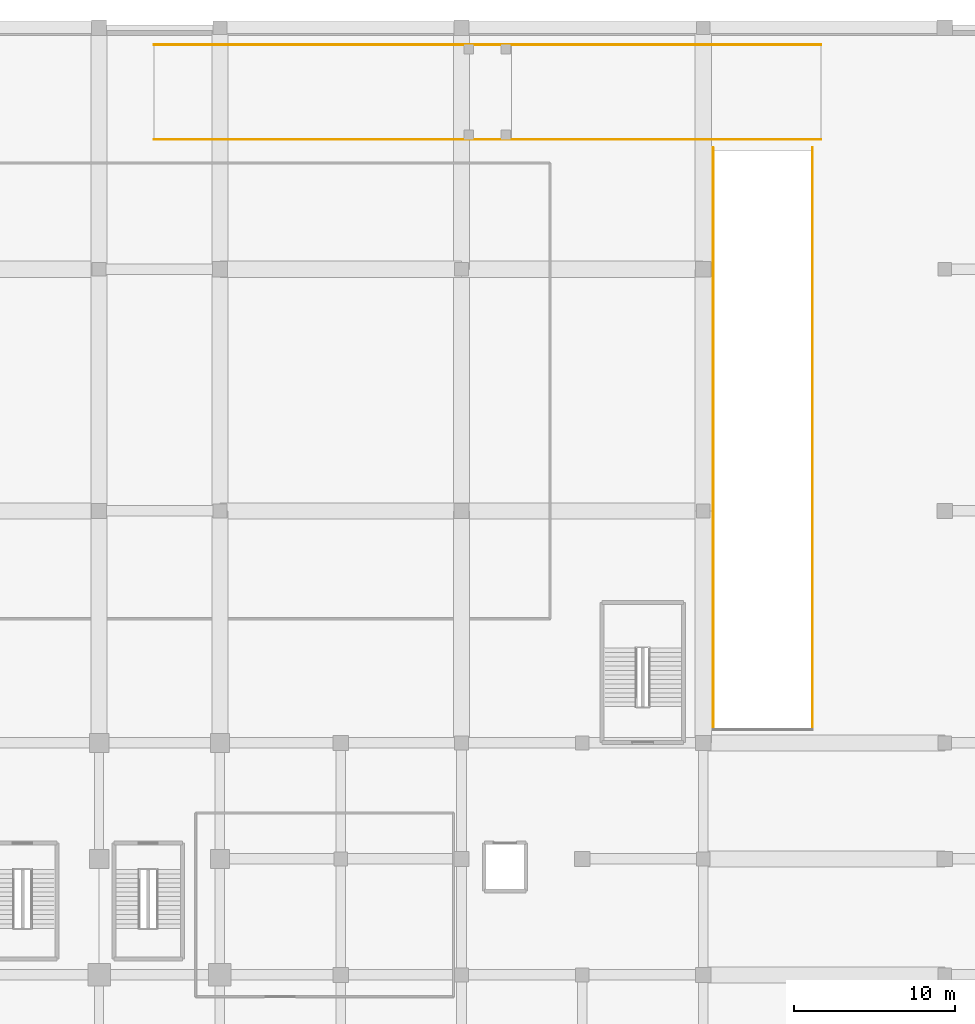
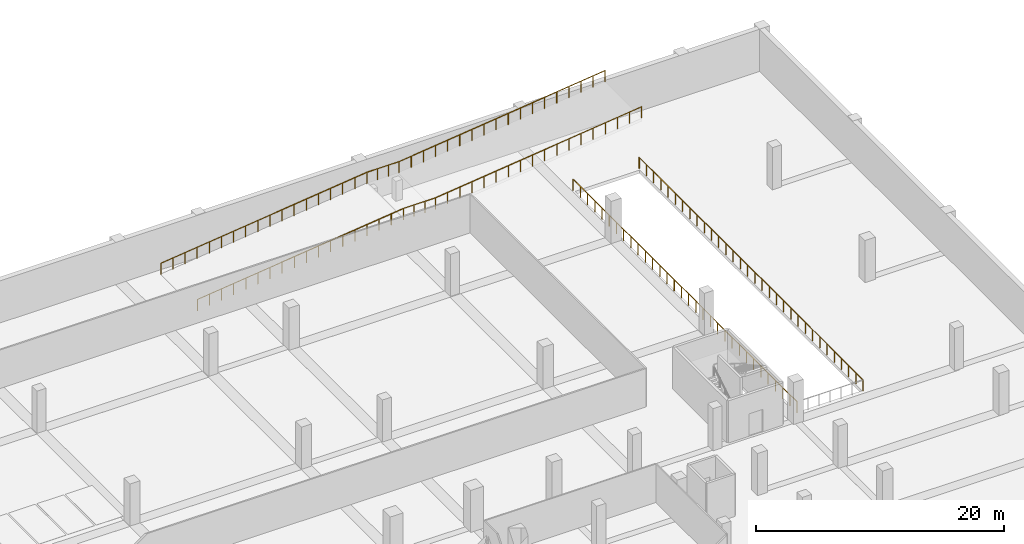
# One storey, part 25 of 25: 4 railings.
"""IFC4 building model written with IfcOpenShell, lengths in metres."""

from ifc_helpers import new_model, si_unit, direction, frame, origin, origin_2d, place, context, subcontext, project, spatial, circle, extrude, material, layer, layer_set, type_object, element, save


model = new_model("IFC4")

# Units and contexts
model_context = context("Model", 3, precision=1e-05, world=origin(), true_north=direction((0.0, 1.0)))
body_context = subcontext(model_context, "Body", "Model", "MODEL_VIEW")
ifc_project = project(units=[si_unit("LENGTHUNIT", "METRE"), si_unit("AREAUNIT", "SQUARE_METRE"), si_unit("VOLUMEUNIT", "CUBIC_METRE"), si_unit("PLANEANGLEUNIT", "RADIAN"), si_unit("MASSUNIT", "GRAM", prefix="KILO")], contexts=[model_context])

# Site, building, storey
site_placement = place(None, origin())
site = spatial("IfcSite", under=ifc_project, at=site_placement, CompositionType="ELEMENT")
building_placement = place(site_placement, origin())
building = spatial("IfcBuilding", under=site, at=building_placement, Name="Akrevak Sports Hall", CompositionType="ELEMENT")
storey_placement = place(building_placement, frame((0.0, 0.0, -4.5)))
storey = spatial("IfcBuildingStorey", under=building, at=storey_placement, Name="B01", CompositionType="ELEMENT", Elevation=-4.5)

# Railings
ifc_material = material(Name="Painted Architectural Balustrade Steel", Category="steel")
ifc_layer = layer(ifc_material, 0.06005859375, Name="Painted Architectural Balustrade Steel")
ifc_layer_set = layer_set([ifc_layer], Name="Painted Architectural Balustrade Steel")
railing_type = type_object("IfcRailingType", Name="ARC-RL-GRD-1120", PredefinedType="GUARDRAIL", material=ifc_layer_set)
railing_1_placement = place(storey_placement, frame((146.1201171875, 70.419921875, 0.0)))
element("IfcRailing", 1, at=railing_1_placement, inside=storey, type_object=railing_type, Name="B01 Vehicle Ramp Well Guardrail W", PredefinedType="GUARDRAIL", context=body_context, shape_type="SweptSolid", body=[
    extrude(circle(Radius=0.02392578125, at=origin_2d()), frame((0.0, 0.0, 1.09619140625), z_axis=(0.0, 1.0, 0.0), x_axis=(-1.0, 0.0, 0.0)), (0.0, 0.0, 1.0), 36.130126953125),
    extrude(circle(Radius=0.02099609375, at=origin_2d()), origin(), (0.0, 0.0, 1.0), 1.072021484375),
    extrude(circle(Radius=0.02099609375, at=origin_2d()), frame((0.0, 1.16552734375, 0.0)), (0.0, 0.0, 1.0), 1.072021484375),
    extrude(circle(Radius=0.02099609375, at=origin_2d()), frame((0.0, 2.3310546875, 0.0)), (0.0, 0.0, 1.0), 1.072021484375),
    extrude(circle(Radius=0.02099609375, at=origin_2d()), frame((0.0, 3.49658203125, 0.0)), (0.0, 0.0, 1.0), 1.072021484375),
    extrude(circle(Radius=0.02099609375, at=origin_2d()), frame((0.0, 4.661865234375, 0.0)), (0.0, 0.0, 1.0), 1.072021484375),
    extrude(circle(Radius=0.02099609375, at=origin_2d()), frame((0.0, 5.827392578125, 0.0)), (0.0, 0.0, 1.0), 1.072021484375),
    extrude(circle(Radius=0.02099609375, at=origin_2d()), frame((0.0, 6.992919921875, 0.0)), (0.0, 0.0, 1.0), 1.072021484375),
    extrude(circle(Radius=0.02099609375, at=origin_2d()), frame((0.0, 8.158447265625, 0.0)), (0.0, 0.0, 1.0), 1.072021484375),
    extrude(circle(Radius=0.02099609375, at=origin_2d()), frame((0.0, 9.323974609375, 0.0)), (0.0, 0.0, 1.0), 1.072021484375),
    extrude(circle(Radius=0.02099609375, at=origin_2d()), frame((0.0, 10.489501953125, 0.0)), (0.0, 0.0, 1.0), 1.072021484375),
    extrude(circle(Radius=0.02099609375, at=origin_2d()), frame((0.0, 11.65478515625, 0.0)), (0.0, 0.0, 1.0), 1.072021484375),
    extrude(circle(Radius=0.02099609375, at=origin_2d()), frame((0.0, 12.8203125, 0.0)), (0.0, 0.0, 1.0), 1.072021484375),
    extrude(circle(Radius=0.02099609375, at=origin_2d()), frame((0.0, 13.98583984375, 0.0)), (0.0, 0.0, 1.0), 1.072021484375),
    extrude(circle(Radius=0.02099609375, at=origin_2d()), frame((0.0, 15.1513671875, 0.0)), (0.0, 0.0, 1.0), 1.072021484375),
    extrude(circle(Radius=0.02099609375, at=origin_2d()), frame((0.0, 16.31689453125, 0.0)), (0.0, 0.0, 1.0), 1.072021484375),
    extrude(circle(Radius=0.02099609375, at=origin_2d()), frame((0.0, 17.482421875, 0.0)), (0.0, 0.0, 1.0), 1.072021484375),
    extrude(circle(Radius=0.02099609375, at=origin_2d()), frame((0.0, 18.647705078125, 0.0)), (0.0, 0.0, 1.0), 1.072021484375),
    extrude(circle(Radius=0.02099609375, at=origin_2d()), frame((0.0, 19.813232421875, 0.0)), (0.0, 0.0, 1.0), 1.072021484375),
    extrude(circle(Radius=0.02099609375, at=origin_2d()), frame((0.0, 20.978759765625, 0.0)), (0.0, 0.0, 1.0), 1.072021484375),
    extrude(circle(Radius=0.02099609375, at=origin_2d()), frame((0.0, 22.144287109375, 0.0)), (0.0, 0.0, 1.0), 1.072021484375),
    extrude(circle(Radius=0.02099609375, at=origin_2d()), frame((0.0, 23.309814453125, 0.0)), (0.0, 0.0, 1.0), 1.072021484375),
    extrude(circle(Radius=0.02099609375, at=origin_2d()), frame((0.0, 24.475341796875, 0.0)), (0.0, 0.0, 1.0), 1.072021484375),
    extrude(circle(Radius=0.02099609375, at=origin_2d()), frame((0.0, 25.640625, 0.0)), (0.0, 0.0, 1.0), 1.072021484375),
    extrude(circle(Radius=0.02099609375, at=origin_2d()), frame((0.0, 26.80615234375, 0.0)), (0.0, 0.0, 1.0), 1.072021484375),
    extrude(circle(Radius=0.02099609375, at=origin_2d()), frame((0.0, 27.9716796875, 0.0)), (0.0, 0.0, 1.0), 1.072021484375),
    extrude(circle(Radius=0.02099609375, at=origin_2d()), frame((0.0, 29.13720703125, 0.0)), (0.0, 0.0, 1.0), 1.072021484375),
    extrude(circle(Radius=0.02099609375, at=origin_2d()), frame((0.0, 30.302734375, 0.0)), (0.0, 0.0, 1.0), 1.072021484375),
    extrude(circle(Radius=0.02099609375, at=origin_2d()), frame((0.0, 31.46826171875, 0.0)), (0.0, 0.0, 1.0), 1.072021484375),
    extrude(circle(Radius=0.02099609375, at=origin_2d()), frame((0.0, 32.633544921875, 0.0)), (0.0, 0.0, 1.0), 1.072021484375),
    extrude(circle(Radius=0.02099609375, at=origin_2d()), frame((0.0, 33.799072265625, 0.0)), (0.0, 0.0, 1.0), 1.072021484375),
    extrude(circle(Radius=0.02099609375, at=origin_2d()), frame((0.0, 34.964599609375, 0.0)), (0.0, 0.0, 1.0), 1.072021484375),
    extrude(circle(Radius=0.02099609375, at=origin_2d()), frame((0.0, 36.130126953125, 0.0)), (0.0, 0.0, 1.0), 1.072021484375),
])
railing_2_placement = place(storey_placement, frame((152.280029296875, 70.419921875, 0.0)))
element("IfcRailing", 2, at=railing_2_placement, inside=storey, type_object=railing_type, Name="B01 Vehicle Ramp Well Guardrail E", PredefinedType="GUARDRAIL", context=body_context, shape_type="SweptSolid", body=[
    extrude(circle(Radius=0.02392578125, at=origin_2d()), frame((0.0, 0.0, 1.09619140625), z_axis=(0.0, 1.0, 0.0), x_axis=(-1.0, 0.0, 0.0)), (0.0, 0.0, 1.0), 36.130126953125),
    extrude(circle(Radius=0.02099609375, at=origin_2d()), origin(), (0.0, 0.0, 1.0), 1.072021484375),
    extrude(circle(Radius=0.02099609375, at=origin_2d()), frame((0.0, 1.16552734375, 0.0)), (0.0, 0.0, 1.0), 1.072021484375),
    extrude(circle(Radius=0.02099609375, at=origin_2d()), frame((0.0, 2.3310546875, 0.0)), (0.0, 0.0, 1.0), 1.072021484375),
    extrude(circle(Radius=0.02099609375, at=origin_2d()), frame((0.0, 3.49658203125, 0.0)), (0.0, 0.0, 1.0), 1.072021484375),
    extrude(circle(Radius=0.02099609375, at=origin_2d()), frame((0.0, 4.661865234375, 0.0)), (0.0, 0.0, 1.0), 1.072021484375),
    extrude(circle(Radius=0.02099609375, at=origin_2d()), frame((0.0, 5.827392578125, 0.0)), (0.0, 0.0, 1.0), 1.072021484375),
    extrude(circle(Radius=0.02099609375, at=origin_2d()), frame((0.0, 6.992919921875, 0.0)), (0.0, 0.0, 1.0), 1.072021484375),
    extrude(circle(Radius=0.02099609375, at=origin_2d()), frame((0.0, 8.158447265625, 0.0)), (0.0, 0.0, 1.0), 1.072021484375),
    extrude(circle(Radius=0.02099609375, at=origin_2d()), frame((0.0, 9.323974609375, 0.0)), (0.0, 0.0, 1.0), 1.072021484375),
    extrude(circle(Radius=0.02099609375, at=origin_2d()), frame((0.0, 10.489501953125, 0.0)), (0.0, 0.0, 1.0), 1.072021484375),
    extrude(circle(Radius=0.02099609375, at=origin_2d()), frame((0.0, 11.65478515625, 0.0)), (0.0, 0.0, 1.0), 1.072021484375),
    extrude(circle(Radius=0.02099609375, at=origin_2d()), frame((0.0, 12.8203125, 0.0)), (0.0, 0.0, 1.0), 1.072021484375),
    extrude(circle(Radius=0.02099609375, at=origin_2d()), frame((0.0, 13.98583984375, 0.0)), (0.0, 0.0, 1.0), 1.072021484375),
    extrude(circle(Radius=0.02099609375, at=origin_2d()), frame((0.0, 15.1513671875, 0.0)), (0.0, 0.0, 1.0), 1.072021484375),
    extrude(circle(Radius=0.02099609375, at=origin_2d()), frame((0.0, 16.31689453125, 0.0)), (0.0, 0.0, 1.0), 1.072021484375),
    extrude(circle(Radius=0.02099609375, at=origin_2d()), frame((0.0, 17.482421875, 0.0)), (0.0, 0.0, 1.0), 1.072021484375),
    extrude(circle(Radius=0.02099609375, at=origin_2d()), frame((0.0, 18.647705078125, 0.0)), (0.0, 0.0, 1.0), 1.072021484375),
    extrude(circle(Radius=0.02099609375, at=origin_2d()), frame((0.0, 19.813232421875, 0.0)), (0.0, 0.0, 1.0), 1.072021484375),
    extrude(circle(Radius=0.02099609375, at=origin_2d()), frame((0.0, 20.978759765625, 0.0)), (0.0, 0.0, 1.0), 1.072021484375),
    extrude(circle(Radius=0.02099609375, at=origin_2d()), frame((0.0, 22.144287109375, 0.0)), (0.0, 0.0, 1.0), 1.072021484375),
    extrude(circle(Radius=0.02099609375, at=origin_2d()), frame((0.0, 23.309814453125, 0.0)), (0.0, 0.0, 1.0), 1.072021484375),
    extrude(circle(Radius=0.02099609375, at=origin_2d()), frame((0.0, 24.475341796875, 0.0)), (0.0, 0.0, 1.0), 1.072021484375),
    extrude(circle(Radius=0.02099609375, at=origin_2d()), frame((0.0, 25.640625, 0.0)), (0.0, 0.0, 1.0), 1.072021484375),
    extrude(circle(Radius=0.02099609375, at=origin_2d()), frame((0.0, 26.80615234375, 0.0)), (0.0, 0.0, 1.0), 1.072021484375),
    extrude(circle(Radius=0.02099609375, at=origin_2d()), frame((0.0, 27.9716796875, 0.0)), (0.0, 0.0, 1.0), 1.072021484375),
    extrude(circle(Radius=0.02099609375, at=origin_2d()), frame((0.0, 29.13720703125, 0.0)), (0.0, 0.0, 1.0), 1.072021484375),
    extrude(circle(Radius=0.02099609375, at=origin_2d()), frame((0.0, 30.302734375, 0.0)), (0.0, 0.0, 1.0), 1.072021484375),
    extrude(circle(Radius=0.02099609375, at=origin_2d()), frame((0.0, 31.46826171875, 0.0)), (0.0, 0.0, 1.0), 1.072021484375),
    extrude(circle(Radius=0.02099609375, at=origin_2d()), frame((0.0, 32.633544921875, 0.0)), (0.0, 0.0, 1.0), 1.072021484375),
    extrude(circle(Radius=0.02099609375, at=origin_2d()), frame((0.0, 33.799072265625, 0.0)), (0.0, 0.0, 1.0), 1.072021484375),
    extrude(circle(Radius=0.02099609375, at=origin_2d()), frame((0.0, 34.964599609375, 0.0)), (0.0, 0.0, 1.0), 1.072021484375),
    extrude(circle(Radius=0.02099609375, at=origin_2d()), frame((0.0, 36.130126953125, 0.0)), (0.0, 0.0, 1.0), 1.072021484375),
])
railing_3_placement = place(storey_placement, frame((111.39990234375, 107.06005859375, 0.0)))
element("IfcRailing", 3, at=railing_3_placement, inside=storey, type_object=railing_type, Name="Ramp R2 Side Guardrail S", PredefinedType="GUARDRAIL", context=body_context, shape_type="SweptSolid", body=[
    extrude(circle(Radius=0.02392578125, at=origin_2d()), frame((0.0, 0.0, 1.09619140625), z_axis=(0.993203604351, 0.0, 0.116389863406), x_axis=(0.0, 1.0, 0.0)), (0.0, 0.0, 1.0), 19.33154296875),
    extrude(circle(Radius=0.02392578125, at=origin_2d()), frame((19.2001953125, 0.0, 3.34619140625), z_axis=(1.0, 0.0, 0.0), x_axis=(0.0, 1.0, 0.0)), (0.0, 0.0, 1.0), 3.0),
    extrude(circle(Radius=0.02392578125, at=origin_2d()), frame((22.2001953125, 0.0, 3.34619140625), z_axis=(0.993203433267, 0.0, 0.116391323334), x_axis=(0.0, 1.0, 0.0)), (0.0, 0.0, 1.0), 19.331298828125),
    extrude(circle(Radius=0.02099609375, at=origin_2d()), origin(), (0.0, 0.0, 1.0), 1.072021484375),
    extrude(circle(Radius=0.02099609375, at=origin_2d()), frame((1.12939453125, 0.0, 0.13232421875)), (0.0, 0.0, 1.0), 1.072021484375),
    extrude(circle(Radius=0.02099609375, at=origin_2d()), frame((2.2587890625, 0.0, 0.2646484375)), (0.0, 0.0, 1.0), 1.072021484375),
    extrude(circle(Radius=0.02099609375, at=origin_2d()), frame((3.38818359375, 0.0, 0.39697265625)), (0.0, 0.0, 1.0), 1.072021484375),
    extrude(circle(Radius=0.02099609375, at=origin_2d()), frame((4.517578125, 0.0, 0.529296875)), (0.0, 0.0, 1.0), 1.072021484375),
    extrude(circle(Radius=0.02099609375, at=origin_2d()), frame((5.647216796875, 0.0, 0.661865234375)), (0.0, 0.0, 1.0), 1.072021484375),
    extrude(circle(Radius=0.02099609375, at=origin_2d()), frame((6.776611328125, 0.0, 0.794189453125)), (0.0, 0.0, 1.0), 1.072021484375),
    extrude(circle(Radius=0.02099609375, at=origin_2d()), frame((7.906005859375, 0.0, 0.926513671875)), (0.0, 0.0, 1.0), 1.072021484375),
    extrude(circle(Radius=0.02099609375, at=origin_2d()), frame((9.035400390625, 0.0, 1.058837890625)), (0.0, 0.0, 1.0), 1.072021484375),
    extrude(circle(Radius=0.02099609375, at=origin_2d()), frame((10.164794921875, 0.0, 1.191162109375)), (0.0, 0.0, 1.0), 1.072021484375),
    extrude(circle(Radius=0.02099609375, at=origin_2d()), frame((11.294189453125, 0.0, 1.323486328125)), (0.0, 0.0, 1.0), 1.072021484375),
    extrude(circle(Radius=0.02099609375, at=origin_2d()), frame((12.423583984375, 0.0, 1.455810546875)), (0.0, 0.0, 1.0), 1.072021484375),
    extrude(circle(Radius=0.02099609375, at=origin_2d()), frame((13.552978515625, 0.0, 1.588134765625)), (0.0, 0.0, 1.0), 1.072021484375),
    extrude(circle(Radius=0.02099609375, at=origin_2d()), frame((14.6826171875, 0.0, 1.720703125)), (0.0, 0.0, 1.0), 1.072021484375),
    extrude(circle(Radius=0.02099609375, at=origin_2d()), frame((15.81201171875, 0.0, 1.85302734375)), (0.0, 0.0, 1.0), 1.072021484375),
    extrude(circle(Radius=0.02099609375, at=origin_2d()), frame((16.94140625, 0.0, 1.9853515625)), (0.0, 0.0, 1.0), 1.072021484375),
    extrude(circle(Radius=0.02099609375, at=origin_2d()), frame((18.07080078125, 0.0, 2.11767578125)), (0.0, 0.0, 1.0), 1.072021484375),
    extrude(circle(Radius=0.02099609375, at=origin_2d()), frame((19.2001953125, 0.0, 2.25)), (0.0, 0.0, 1.0), 1.072021484375),
    extrude(circle(Radius=0.02099609375, at=origin_2d()), frame((20.2001953125, 0.0, 2.25)), (0.0, 0.0, 1.0), 1.072021484375),
    extrude(circle(Radius=0.02099609375, at=origin_2d()), frame((21.2001953125, 0.0, 2.25)), (0.0, 0.0, 1.0), 1.072021484375),
    extrude(circle(Radius=0.02099609375, at=origin_2d()), frame((22.2001953125, 0.0, 2.25)), (0.0, 0.0, 1.0), 1.072021484375),
    extrude(circle(Radius=0.02099609375, at=origin_2d()), frame((23.32958984375, 0.0, 2.38232421875)), (0.0, 0.0, 1.0), 1.072021484375),
    extrude(circle(Radius=0.02099609375, at=origin_2d()), frame((24.458984375, 0.0, 2.5146484375)), (0.0, 0.0, 1.0), 1.072021484375),
    extrude(circle(Radius=0.02099609375, at=origin_2d()), frame((25.58837890625, 0.0, 2.64697265625)), (0.0, 0.0, 1.0), 1.072021484375),
    extrude(circle(Radius=0.02099609375, at=origin_2d()), frame((26.7177734375, 0.0, 2.779296875)), (0.0, 0.0, 1.0), 1.072021484375),
    extrude(circle(Radius=0.02099609375, at=origin_2d()), frame((27.84716796875, 0.0, 2.911865234375)), (0.0, 0.0, 1.0), 1.072021484375),
    extrude(circle(Radius=0.02099609375, at=origin_2d()), frame((28.9765625, 0.0, 3.044189453125)), (0.0, 0.0, 1.0), 1.072021484375),
    extrude(circle(Radius=0.02099609375, at=origin_2d()), frame((30.10595703125, 0.0, 3.176513671875)), (0.0, 0.0, 1.0), 1.072021484375),
    extrude(circle(Radius=0.02099609375, at=origin_2d()), frame((31.2353515625, 0.0, 3.308837890625)), (0.0, 0.0, 1.0), 1.072021484375),
    extrude(circle(Radius=0.02099609375, at=origin_2d()), frame((32.364990234375, 0.0, 3.441162109375)), (0.0, 0.0, 1.0), 1.072021484375),
    extrude(circle(Radius=0.02099609375, at=origin_2d()), frame((33.494384765625, 0.0, 3.573486328125)), (0.0, 0.0, 1.0), 1.072021484375),
    extrude(circle(Radius=0.02099609375, at=origin_2d()), frame((34.623779296875, 0.0, 3.705810546875)), (0.0, 0.0, 1.0), 1.072021484375),
    extrude(circle(Radius=0.02099609375, at=origin_2d()), frame((35.753173828125, 0.0, 3.838134765625)), (0.0, 0.0, 1.0), 1.072021484375),
    extrude(circle(Radius=0.02099609375, at=origin_2d()), frame((36.882568359375, 0.0, 3.970703125)), (0.0, 0.0, 1.0), 1.072021484375),
    extrude(circle(Radius=0.02099609375, at=origin_2d()), frame((38.011962890625, 0.0, 4.10302734375)), (0.0, 0.0, 1.0), 1.072021484375),
    extrude(circle(Radius=0.02099609375, at=origin_2d()), frame((39.141357421875, 0.0, 4.2353515625)), (0.0, 0.0, 1.0), 1.072021484375),
    extrude(circle(Radius=0.02099609375, at=origin_2d()), frame((40.270751953125, 0.0, 4.36767578125)), (0.0, 0.0, 1.0), 1.072021484375),
    extrude(circle(Radius=0.02099609375, at=origin_2d()), frame((41.400146484375, 0.0, 4.5)), (0.0, 0.0, 1.0), 1.072021484375),
])
railing_4_placement = place(storey_placement, frame((111.39990234375, 112.93994140625, 0.0)))
element("IfcRailing", 4, at=railing_4_placement, inside=storey, type_object=railing_type, Name="Ramp R2 Side Guardrail N", PredefinedType="GUARDRAIL", context=body_context, shape_type="SweptSolid", body=[
    extrude(circle(Radius=0.02392578125, at=origin_2d()), frame((0.0, 0.0, 1.09619140625), z_axis=(0.993203604351, 0.0, 0.116389863406), x_axis=(0.0, 1.0, 0.0)), (0.0, 0.0, 1.0), 19.33154296875),
    extrude(circle(Radius=0.02392578125, at=origin_2d()), frame((19.2001953125, 0.0, 3.34619140625), z_axis=(1.0, 0.0, 0.0), x_axis=(0.0, 1.0, 0.0)), (0.0, 0.0, 1.0), 3.0),
    extrude(circle(Radius=0.02392578125, at=origin_2d()), frame((22.2001953125, 0.0, 3.34619140625), z_axis=(0.993203433267, 0.0, 0.116391323334), x_axis=(0.0, 1.0, 0.0)), (0.0, 0.0, 1.0), 19.331298828125),
    extrude(circle(Radius=0.02099609375, at=origin_2d()), origin(), (0.0, 0.0, 1.0), 1.072021484375),
    extrude(circle(Radius=0.02099609375, at=origin_2d()), frame((1.12939453125, 0.0, 0.13232421875)), (0.0, 0.0, 1.0), 1.072021484375),
    extrude(circle(Radius=0.02099609375, at=origin_2d()), frame((2.2587890625, 0.0, 0.2646484375)), (0.0, 0.0, 1.0), 1.072021484375),
    extrude(circle(Radius=0.02099609375, at=origin_2d()), frame((3.38818359375, 0.0, 0.39697265625)), (0.0, 0.0, 1.0), 1.072021484375),
    extrude(circle(Radius=0.02099609375, at=origin_2d()), frame((4.517578125, 0.0, 0.529296875)), (0.0, 0.0, 1.0), 1.072021484375),
    extrude(circle(Radius=0.02099609375, at=origin_2d()), frame((5.647216796875, 0.0, 0.661865234375)), (0.0, 0.0, 1.0), 1.072021484375),
    extrude(circle(Radius=0.02099609375, at=origin_2d()), frame((6.776611328125, 0.0, 0.794189453125)), (0.0, 0.0, 1.0), 1.072021484375),
    extrude(circle(Radius=0.02099609375, at=origin_2d()), frame((7.906005859375, 0.0, 0.926513671875)), (0.0, 0.0, 1.0), 1.072021484375),
    extrude(circle(Radius=0.02099609375, at=origin_2d()), frame((9.035400390625, 0.0, 1.058837890625)), (0.0, 0.0, 1.0), 1.072021484375),
    extrude(circle(Radius=0.02099609375, at=origin_2d()), frame((10.164794921875, 0.0, 1.191162109375)), (0.0, 0.0, 1.0), 1.072021484375),
    extrude(circle(Radius=0.02099609375, at=origin_2d()), frame((11.294189453125, 0.0, 1.323486328125)), (0.0, 0.0, 1.0), 1.072021484375),
    extrude(circle(Radius=0.02099609375, at=origin_2d()), frame((12.423583984375, 0.0, 1.455810546875)), (0.0, 0.0, 1.0), 1.072021484375),
    extrude(circle(Radius=0.02099609375, at=origin_2d()), frame((13.552978515625, 0.0, 1.588134765625)), (0.0, 0.0, 1.0), 1.072021484375),
    extrude(circle(Radius=0.02099609375, at=origin_2d()), frame((14.6826171875, 0.0, 1.720703125)), (0.0, 0.0, 1.0), 1.072021484375),
    extrude(circle(Radius=0.02099609375, at=origin_2d()), frame((15.81201171875, 0.0, 1.85302734375)), (0.0, 0.0, 1.0), 1.072021484375),
    extrude(circle(Radius=0.02099609375, at=origin_2d()), frame((16.94140625, 0.0, 1.9853515625)), (0.0, 0.0, 1.0), 1.072021484375),
    extrude(circle(Radius=0.02099609375, at=origin_2d()), frame((18.07080078125, 0.0, 2.11767578125)), (0.0, 0.0, 1.0), 1.072021484375),
    extrude(circle(Radius=0.02099609375, at=origin_2d()), frame((19.2001953125, 0.0, 2.25)), (0.0, 0.0, 1.0), 1.072021484375),
    extrude(circle(Radius=0.02099609375, at=origin_2d()), frame((20.2001953125, 0.0, 2.25)), (0.0, 0.0, 1.0), 1.072021484375),
    extrude(circle(Radius=0.02099609375, at=origin_2d()), frame((21.2001953125, 0.0, 2.25)), (0.0, 0.0, 1.0), 1.072021484375),
    extrude(circle(Radius=0.02099609375, at=origin_2d()), frame((22.2001953125, 0.0, 2.25)), (0.0, 0.0, 1.0), 1.072021484375),
    extrude(circle(Radius=0.02099609375, at=origin_2d()), frame((23.32958984375, 0.0, 2.38232421875)), (0.0, 0.0, 1.0), 1.072021484375),
    extrude(circle(Radius=0.02099609375, at=origin_2d()), frame((24.458984375, 0.0, 2.5146484375)), (0.0, 0.0, 1.0), 1.072021484375),
    extrude(circle(Radius=0.02099609375, at=origin_2d()), frame((25.58837890625, 0.0, 2.64697265625)), (0.0, 0.0, 1.0), 1.072021484375),
    extrude(circle(Radius=0.02099609375, at=origin_2d()), frame((26.7177734375, 0.0, 2.779296875)), (0.0, 0.0, 1.0), 1.072021484375),
    extrude(circle(Radius=0.02099609375, at=origin_2d()), frame((27.84716796875, 0.0, 2.911865234375)), (0.0, 0.0, 1.0), 1.072021484375),
    extrude(circle(Radius=0.02099609375, at=origin_2d()), frame((28.9765625, 0.0, 3.044189453125)), (0.0, 0.0, 1.0), 1.072021484375),
    extrude(circle(Radius=0.02099609375, at=origin_2d()), frame((30.10595703125, 0.0, 3.176513671875)), (0.0, 0.0, 1.0), 1.072021484375),
    extrude(circle(Radius=0.02099609375, at=origin_2d()), frame((31.2353515625, 0.0, 3.308837890625)), (0.0, 0.0, 1.0), 1.072021484375),
    extrude(circle(Radius=0.02099609375, at=origin_2d()), frame((32.364990234375, 0.0, 3.441162109375)), (0.0, 0.0, 1.0), 1.072021484375),
    extrude(circle(Radius=0.02099609375, at=origin_2d()), frame((33.494384765625, 0.0, 3.573486328125)), (0.0, 0.0, 1.0), 1.072021484375),
    extrude(circle(Radius=0.02099609375, at=origin_2d()), frame((34.623779296875, 0.0, 3.705810546875)), (0.0, 0.0, 1.0), 1.072021484375),
    extrude(circle(Radius=0.02099609375, at=origin_2d()), frame((35.753173828125, 0.0, 3.838134765625)), (0.0, 0.0, 1.0), 1.072021484375),
    extrude(circle(Radius=0.02099609375, at=origin_2d()), frame((36.882568359375, 0.0, 3.970703125)), (0.0, 0.0, 1.0), 1.072021484375),
    extrude(circle(Radius=0.02099609375, at=origin_2d()), frame((38.011962890625, 0.0, 4.10302734375)), (0.0, 0.0, 1.0), 1.072021484375),
    extrude(circle(Radius=0.02099609375, at=origin_2d()), frame((39.141357421875, 0.0, 4.2353515625)), (0.0, 0.0, 1.0), 1.072021484375),
    extrude(circle(Radius=0.02099609375, at=origin_2d()), frame((40.270751953125, 0.0, 4.36767578125)), (0.0, 0.0, 1.0), 1.072021484375),
    extrude(circle(Radius=0.02099609375, at=origin_2d()), frame((41.400146484375, 0.0, 4.5)), (0.0, 0.0, 1.0), 1.072021484375),
])

save(model, "model.ifc")
